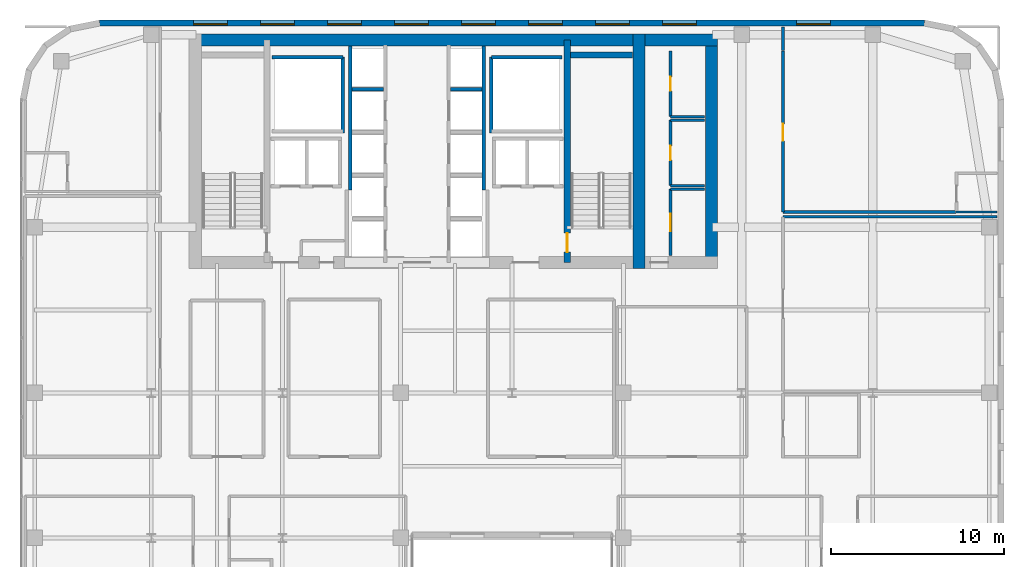
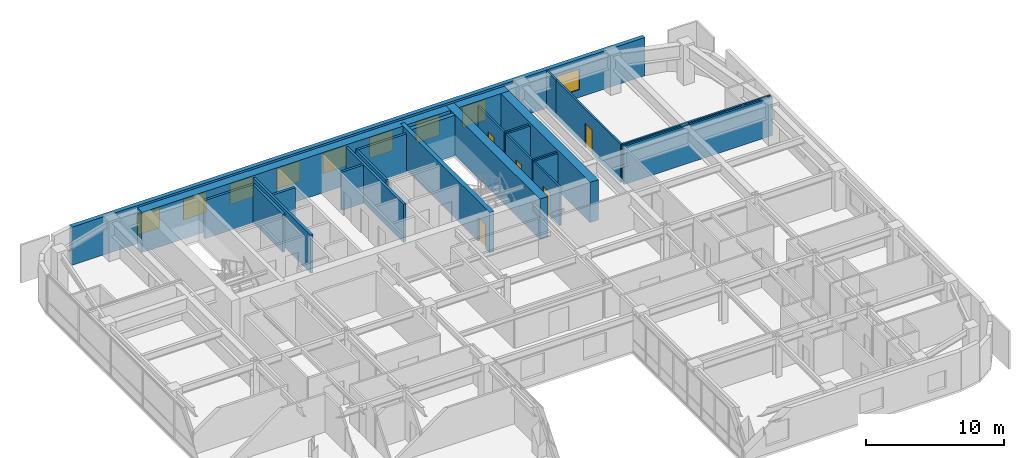
# One storey, part 28 of 30: 27 walls, 9 windows, 5 doors, 14 openings.
"""IFC4 building model written with IfcOpenShell, lengths in metres."""

from ifc_helpers import new_model, si_unit, direction, frame, frame_2d, origin, place, context, subcontext, project, spatial, rectangle, extrude, source, transform, mapped, material, layer, layer_set, type_object, type_shapes, element, fill, save


model = new_model("IFC4")

# Units and contexts
model_context = context("Model", 3, precision=1e-05, world=origin(), true_north=direction((0.0, 1.0)))
body_context = subcontext(model_context, "Body", "Model", "MODEL_VIEW")
ifc_project = project(units=[si_unit("LENGTHUNIT", "METRE"), si_unit("AREAUNIT", "SQUARE_METRE"), si_unit("VOLUMEUNIT", "CUBIC_METRE"), si_unit("PLANEANGLEUNIT", "RADIAN"), si_unit("MASSUNIT", "GRAM", prefix="KILO")], contexts=[model_context])

# Site, building, storey
site_placement = place(None, origin())
site = spatial("IfcSite", under=ifc_project, at=site_placement, CompositionType="ELEMENT")
building_placement = place(site_placement, origin())
building = spatial("IfcBuilding", under=site, at=building_placement, Name="Tolvann Quenvar Hotel", CompositionType="ELEMENT")
storey_placement = place(building_placement, frame((0.0, 0.0, 100.89990234375)))
storey = spatial("IfcBuildingStorey", under=building, at=storey_placement, Name="L25", CompositionType="ELEMENT", Elevation=100.89990234375)

# Walls
ifc_material_1 = material(Name="Concrete S65 (65 MPa)", Category="concrete")
ifc_layer_1 = layer(ifc_material_1, 0.699951171875)
ifc_layer_set_1 = layer_set([ifc_layer_1], Name="Concrete S65 (65 MPa)")
wall_type_1 = type_object("IfcWallType", Name="WALL_CORE_700", PredefinedType="SHEAR", material=ifc_layer_set_1)
wall_1_placement = place(storey_placement, frame((9.800048828125, 44.85009765625, 0.0), z_axis=(0.0, 0.0, 1.0), x_axis=(1.0, 0.0, 0.0)))
element("IfcWall", 1, at=wall_1_placement, inside=storey, type_object=wall_type_1, Name="Rear Core N Shear Wall (L25)", PredefinedType="SHEAR", context=body_context, shape_type="SweptSolid", body=[
    extrude(rectangle(XDim=26.39990234375, YDim=0.699951171875, at=frame_2d((13.199951171875, 0.0))), origin(), (0.0, 0.0, 1.0), 3.550048828125),
])
wall_2_placement = place(storey_placement, frame((35.85009765625, 31.60009765625, 0.0), z_axis=(0.0, 0.0, 1.0), x_axis=(0.0, 1.0, 0.0)))
element("IfcWall", 2, at=wall_2_placement, inside=storey, type_object=wall_type_1, Name="Rear Core E Shear Wall (L25)", PredefinedType="SHEAR", context=body_context, shape_type="SweptSolid", body=[
    extrude(rectangle(XDim=13.599853515625, YDim=0.699951171875, at=frame_2d((6.7998046875, 0.0))), origin(), (0.0, 0.0, 1.0), 3.550048828125),
])
wall_3_placement = place(storey_placement, frame((36.199951171875, 44.85009765625, 0.0), z_axis=(0.0, 0.0, 1.0), x_axis=(1.0, 0.0, 0.0)))
element("IfcWall", 3, at=wall_3_placement, inside=storey, type_object=wall_type_1, Name="Core East Annex Shear Wall ANN-N (L25)", PredefinedType="SHEAR", context=body_context, shape_type="SweptSolid", body=[
    extrude(rectangle(XDim=4.199951171875, YDim=0.699951171875, at=frame_2d((2.10009765625, 0.0))), origin(), (0.0, 0.0, 1.0), 3.550048828125),
])
wall_4_placement = place(storey_placement, frame((40.050048828125, 31.60009765625, 0.0), z_axis=(0.0, 0.0, 1.0), x_axis=(0.0, 1.0, 0.0)))
element("IfcWall", 4, at=wall_4_placement, inside=storey, type_object=wall_type_1, Name="Core East Annex Shear Wall ANN-E (L25)", PredefinedType="SHEAR", context=body_context, shape_type="SweptSolid", body=[
    extrude(rectangle(XDim=13.599853515625, YDim=0.699951171875, at=frame_2d((6.7998046875, 0.0))), origin(), (0.0, 0.0, 1.0), 3.550048828125),
])

# Wall, opening, door
ifc_layer_2 = layer(ifc_material_1, 0.35009765625)
ifc_layer_set_2 = layer_set([ifc_layer_2], Name="Concrete S65 (65 MPa)")
wall_type_2 = type_object("IfcWallType", Name="WALL_CORE_INT_350", PredefinedType="SHEAR", material=ifc_layer_set_2)
wall_5_placement = place(storey_placement, frame((31.699951171875, 31.949951171875, 0.0), z_axis=(0.0, 0.0, 1.0), x_axis=(0.0, 1.0, 0.0)))
wall_5 = element("IfcWall", 5, at=wall_5_placement, inside=storey, type_object=wall_type_2, Name="Core Internal Web Shear Wall WEB-E (L25)", PredefinedType="SHEAR", context=body_context, shape_type="SweptSolid", body=[
    extrude(rectangle(XDim=12.900146484375, YDim=0.35009765625, at=frame_2d((6.4501953125, 0.0))), origin(), (0.0, 0.0, 1.0), 3.550048828125),
])
opening_1_placement = place(wall_5_placement, frame((1.7001953125, 0.0, 0.0), z_axis=(0.0, 0.0, 1.0), x_axis=(-1.0, 0.0, 0.0)))
opening_1 = element("IfcOpeningElement", 6, at=opening_1_placement, cuts=wall_5, Name="Opening FD-120", PredefinedType="OPENING", context=body_context, shape_type="SweptSolid", body=[
    extrude(rectangle(XDim=1.10009765625, YDim=2.1201171875, at=frame_2d((0.550048828125, 1.06005859375))), frame((0.0, 0.18505859375, 0.0), z_axis=(0.0, -1.0, 0.0), x_axis=(1.0, 0.0, 0.0)), (0.0, 0.0, 1.0), 0.3701171875),
])
ifc_material_2 = material(Name="Pressed galvanised steel fire-rated door set", Category="steel")
door_type_1 = type_object("IfcDoorType", Name="DOOR_FIRE_STAIR_1100", OperationType="NOTDEFINED", PredefinedType="DOOR", material=ifc_material_2)
shared_shape_1 = source(origin(), body_context, "Body", "SweptSolid", [
    extrude(rectangle(XDim=1.10009765625, YDim=2.1201171875, at=frame_2d((0.550048828125, 1.06005859375))), frame((0.0, 0.02490234375, 0.0), z_axis=(0.0, -1.0, 0.0), x_axis=(1.0, 0.0, 0.0)), (0.0, 0.0, 1.0), 0.050048828125),
])
type_shapes(door_type_1, [shared_shape_1])
door_1_placement = place(opening_1_placement, origin())
door_1 = element("IfcDoor", 7, at=door_1_placement, inside=storey, type_object=door_type_1, Name="Exit Stair ST-C2 Fire Door (L25)", OperationType="SINGLE_SWING_RIGHT", OverallHeight=2.1201171875, OverallWidth=1.10009765625, PredefinedType="DOOR", context=body_context, shape_type="MappedRepresentation", body=[
    mapped(shared_shape_1, transform((0.0, 0.0, 0.0), x_axis=(1.0, 0.0, 0.0), y_axis=(0.0, 1.0, 0.0), z_axis=(0.0, 0.0, 1.0), scale=1.0)),
])
fill(opening_1, door_1)

# Wall
wall_6_placement = place(storey_placement, frame((31.8798828125, 43.97509765625, 0.0), z_axis=(0.0, 0.0, 1.0), x_axis=(1.0, 0.0, 0.0)))
element("IfcWall", 8, at=wall_6_placement, inside=storey, type_object=wall_type_2, Name="Core Stair North Closing Shear Wall STC2-N (L25)", PredefinedType="SHEAR", context=body_context, shape_type="SweptSolid", body=[
    extrude(rectangle(XDim=3.60009765625, YDim=0.35009765625, at=frame_2d((1.800048828125, 0.0))), origin(), (0.0, 0.0, 1.0), 3.550048828125),
])

# Wall, openings, windows
ifc_material_3 = material(Name="Kiln-fired red and buff architectural clay brickwork and terracotta masonry", Category="masonry")
ifc_layer_3 = layer(ifc_material_3, 0.35009765625)
ifc_layer_set_3 = layer_set([ifc_layer_3], Name="Kiln-fired red and buff architectural clay brickwork and terracotta masonry")
wall_type_3 = type_object("IfcWallType", Name="WALL_EXT_BRICK_350", PredefinedType="SOLIDWALL", material=ifc_layer_set_3)
wall_7_placement = place(storey_placement, frame((52.3828125, 45.824951171875, 0.0), z_axis=(0.0, 0.0, 1.0), x_axis=(-1.0, 0.0, 0.0)))
wall_7 = element("IfcWall", 9, at=wall_7_placement, inside=storey, type_object=wall_type_3, Name="Exterior Chicago Brick Wall L25-E18", PredefinedType="SOLIDWALL", context=body_context, shape_type="SweptSolid", body=[
    extrude(rectangle(XDim=47.765625, YDim=0.35009765625, at=frame_2d((23.8828125, 0.0))), origin(), (0.0, 0.0, 1.0), 3.3701171875),
])
opening_2_placement = place(wall_7_placement, frame((5.446044921875, 0.0, 0.679931640625)))
opening_2 = element("IfcOpeningElement", 10, at=opening_2_placement, cuts=wall_7, Name="Opening W-10", PredefinedType="OPENING", context=body_context, shape_type="SweptSolid", body=[
    extrude(rectangle(XDim=1.949951171875, YDim=1.820068359375, at=frame_2d((0.97509765625, 0.91015625))), frame((0.0, 0.18505859375, 0.0), z_axis=(0.0, -1.0, 0.0), x_axis=(1.0, 0.0, 0.0)), (0.0, 0.0, 1.0), 0.3701171875),
])
opening_3_placement = place(wall_7_placement, frame((13.20703125, 0.0, 0.679931640625)))
opening_3 = element("IfcOpeningElement", 11, at=opening_3_placement, cuts=wall_7, Name="Opening W-10", PredefinedType="OPENING", context=body_context, shape_type="SweptSolid", body=[
    extrude(rectangle(XDim=1.949951171875, YDim=1.820068359375, at=frame_2d((0.97509765625, 0.91015625))), frame((0.0, 0.18505859375, 0.0), z_axis=(0.0, -1.0, 0.0), x_axis=(1.0, 0.0, 0.0)), (0.0, 0.0, 1.0), 0.3701171875),
])
opening_4_placement = place(wall_7_placement, frame((17.0869140625, 0.0, 0.679931640625)))
opening_4 = element("IfcOpeningElement", 12, at=opening_4_placement, cuts=wall_7, Name="Opening W-10", PredefinedType="OPENING", context=body_context, shape_type="SweptSolid", body=[
    extrude(rectangle(XDim=1.949951171875, YDim=1.820068359375, at=frame_2d((0.97509765625, 0.91015625))), frame((0.0, 0.18505859375, 0.0), z_axis=(0.0, -1.0, 0.0), x_axis=(1.0, 0.0, 0.0)), (0.0, 0.0, 1.0), 0.3701171875),
])
opening_5_placement = place(wall_7_placement, frame((20.968017578125, 0.0, 0.679931640625)))
opening_5 = element("IfcOpeningElement", 13, at=opening_5_placement, cuts=wall_7, Name="Opening W-10", PredefinedType="OPENING", context=body_context, shape_type="SweptSolid", body=[
    extrude(rectangle(XDim=1.949951171875, YDim=1.820068359375, at=frame_2d((0.97509765625, 0.91015625))), frame((0.0, 0.18505859375, 0.0), z_axis=(0.0, -1.0, 0.0), x_axis=(1.0, 0.0, 0.0)), (0.0, 0.0, 1.0), 0.3701171875),
])
opening_6_placement = place(wall_7_placement, frame((24.847900390625, 0.0, 0.679931640625)))
opening_6 = element("IfcOpeningElement", 14, at=opening_6_placement, cuts=wall_7, Name="Opening W-10", PredefinedType="OPENING", context=body_context, shape_type="SweptSolid", body=[
    extrude(rectangle(XDim=1.949951171875, YDim=1.820068359375, at=frame_2d((0.97509765625, 0.91015625))), frame((0.0, 0.18505859375, 0.0), z_axis=(0.0, -1.0, 0.0), x_axis=(1.0, 0.0, 0.0)), (0.0, 0.0, 1.0), 0.3701171875),
])
opening_7_placement = place(wall_7_placement, frame((28.72900390625, 0.0, 0.679931640625)))
opening_7 = element("IfcOpeningElement", 15, at=opening_7_placement, cuts=wall_7, Name="Opening W-10", PredefinedType="OPENING", context=body_context, shape_type="SweptSolid", body=[
    extrude(rectangle(XDim=1.949951171875, YDim=1.820068359375, at=frame_2d((0.97509765625, 0.91015625))), frame((0.0, 0.18505859375, 0.0), z_axis=(0.0, -1.0, 0.0), x_axis=(1.0, 0.0, 0.0)), (0.0, 0.0, 1.0), 0.3701171875),
])
opening_8_placement = place(wall_7_placement, frame((32.60888671875, 0.0, 0.679931640625)))
opening_8 = element("IfcOpeningElement", 16, at=opening_8_placement, cuts=wall_7, Name="Opening W-10", PredefinedType="OPENING", context=body_context, shape_type="SweptSolid", body=[
    extrude(rectangle(XDim=1.949951171875, YDim=1.820068359375, at=frame_2d((0.97509765625, 0.91015625))), frame((0.0, 0.18505859375, 0.0), z_axis=(0.0, -1.0, 0.0), x_axis=(1.0, 0.0, 0.0)), (0.0, 0.0, 1.0), 0.3701171875),
])
opening_9_placement = place(wall_7_placement, frame((36.489013671875, 0.0, 0.679931640625)))
opening_9 = element("IfcOpeningElement", 17, at=opening_9_placement, cuts=wall_7, Name="Opening W-10", PredefinedType="OPENING", context=body_context, shape_type="SweptSolid", body=[
    extrude(rectangle(XDim=1.949951171875, YDim=1.820068359375, at=frame_2d((0.97509765625, 0.91015625))), frame((0.0, 0.18505859375, 0.0), z_axis=(0.0, -1.0, 0.0), x_axis=(1.0, 0.0, 0.0)), (0.0, 0.0, 1.0), 0.3701171875),
])
opening_10_placement = place(wall_7_placement, frame((40.3701171875, 0.0, 0.679931640625)))
opening_10 = element("IfcOpeningElement", 18, at=opening_10_placement, cuts=wall_7, Name="Opening W-10", PredefinedType="OPENING", context=body_context, shape_type="SweptSolid", body=[
    extrude(rectangle(XDim=1.949951171875, YDim=1.820068359375, at=frame_2d((0.97509765625, 0.91015625))), frame((0.0, 0.18505859375, 0.0), z_axis=(0.0, -1.0, 0.0), x_axis=(1.0, 0.0, 0.0)), (0.0, 0.0, 1.0), 0.3701171875),
])
ifc_material_4 = material(Name="Thermally broken bronze-anodised aluminium frame with double low-E glazing", Category="aluminium")
window_type = type_object("IfcWindowType", Name="WIN_CLB_1950x1850", PartitioningType="DOUBLE_PANEL_VERTICAL", PredefinedType="WINDOW", material=ifc_material_4)
shared_shape_2 = source(origin(), body_context, "Body", "SweptSolid", [
    extrude(rectangle(XDim=1.949951171875, YDim=1.820068359375, at=frame_2d((0.97509765625, 0.91015625))), frame((0.0, 0.090087890625, 0.0), z_axis=(0.0, -1.0, 0.0), x_axis=(1.0, 0.0, 0.0)), (0.0, 0.0, 1.0), 0.06005859375),
])
type_shapes(window_type, [shared_shape_2])
window_1_placement = place(opening_2_placement, origin())
window_1 = element("IfcWindow", 19, at=window_1_placement, inside=storey, type_object=window_type, Name="Chicago Window W-10 (EW-L25-E18-W01)", OverallHeight=1.820068359375, OverallWidth=1.949951171875, PartitioningType="DOUBLE_PANEL_VERTICAL", PredefinedType="WINDOW", context=body_context, shape_type="MappedRepresentation", body=[
    mapped(shared_shape_2, transform((0.0, 0.0, 0.0), x_axis=(1.0, 0.0, 0.0), y_axis=(0.0, 1.0, 0.0), z_axis=(0.0, 0.0, 1.0), scale=1.0)),
])
fill(opening_2, window_1)
window_2_placement = place(opening_3_placement, origin())
window_2 = element("IfcWindow", 20, at=window_2_placement, inside=storey, type_object=window_type, Name="Chicago Window W-10 (EW-L25-E18-W02)", OverallHeight=1.820068359375, OverallWidth=1.949951171875, PartitioningType="DOUBLE_PANEL_VERTICAL", PredefinedType="WINDOW", context=body_context, shape_type="MappedRepresentation", body=[
    mapped(shared_shape_2, transform((0.0, 0.0, 0.0), x_axis=(1.0, 0.0, 0.0), y_axis=(0.0, 1.0, 0.0), z_axis=(0.0, 0.0, 1.0), scale=1.0)),
])
fill(opening_3, window_2)
window_3_placement = place(opening_4_placement, origin())
window_3 = element("IfcWindow", 21, at=window_3_placement, inside=storey, type_object=window_type, Name="Chicago Window W-10 (EW-L25-E18-W03)", OverallHeight=1.820068359375, OverallWidth=1.949951171875, PartitioningType="DOUBLE_PANEL_VERTICAL", PredefinedType="WINDOW", context=body_context, shape_type="MappedRepresentation", body=[
    mapped(shared_shape_2, transform((0.0, 0.0, 0.0), x_axis=(1.0, 0.0, 0.0), y_axis=(0.0, 1.0, 0.0), z_axis=(0.0, 0.0, 1.0), scale=1.0)),
])
fill(opening_4, window_3)
window_4_placement = place(opening_5_placement, origin())
window_4 = element("IfcWindow", 22, at=window_4_placement, inside=storey, type_object=window_type, Name="Chicago Window W-10 (EW-L25-E18-W04)", OverallHeight=1.820068359375, OverallWidth=1.949951171875, PartitioningType="DOUBLE_PANEL_VERTICAL", PredefinedType="WINDOW", context=body_context, shape_type="MappedRepresentation", body=[
    mapped(shared_shape_2, transform((0.0, 0.0, 0.0), x_axis=(1.0, 0.0, 0.0), y_axis=(0.0, 1.0, 0.0), z_axis=(0.0, 0.0, 1.0), scale=1.0)),
])
fill(opening_5, window_4)
window_5_placement = place(opening_6_placement, origin())
window_5 = element("IfcWindow", 23, at=window_5_placement, inside=storey, type_object=window_type, Name="Chicago Window W-10 (EW-L25-E18-W05)", OverallHeight=1.820068359375, OverallWidth=1.949951171875, PartitioningType="DOUBLE_PANEL_VERTICAL", PredefinedType="WINDOW", context=body_context, shape_type="MappedRepresentation", body=[
    mapped(shared_shape_2, transform((0.0, 0.0, 0.0), x_axis=(1.0, 0.0, 0.0), y_axis=(0.0, 1.0, 0.0), z_axis=(0.0, 0.0, 1.0), scale=1.0)),
])
fill(opening_6, window_5)
window_6_placement = place(opening_7_placement, origin())
window_6 = element("IfcWindow", 24, at=window_6_placement, inside=storey, type_object=window_type, Name="Chicago Window W-10 (EW-L25-E18-W06)", OverallHeight=1.820068359375, OverallWidth=1.949951171875, PartitioningType="DOUBLE_PANEL_VERTICAL", PredefinedType="WINDOW", context=body_context, shape_type="MappedRepresentation", body=[
    mapped(shared_shape_2, transform((0.0, 0.0, 0.0), x_axis=(1.0, 0.0, 0.0), y_axis=(0.0, 1.0, 0.0), z_axis=(0.0, 0.0, 1.0), scale=1.0)),
])
fill(opening_7, window_6)
window_7_placement = place(opening_8_placement, origin())
window_7 = element("IfcWindow", 25, at=window_7_placement, inside=storey, type_object=window_type, Name="Chicago Window W-10 (EW-L25-E18-W07)", OverallHeight=1.820068359375, OverallWidth=1.949951171875, PartitioningType="DOUBLE_PANEL_VERTICAL", PredefinedType="WINDOW", context=body_context, shape_type="MappedRepresentation", body=[
    mapped(shared_shape_2, transform((0.0, 0.0, 0.0), x_axis=(1.0, 0.0, 0.0), y_axis=(0.0, 1.0, 0.0), z_axis=(0.0, 0.0, 1.0), scale=1.0)),
])
fill(opening_8, window_7)
window_8_placement = place(opening_9_placement, origin())
window_8 = element("IfcWindow", 26, at=window_8_placement, inside=storey, type_object=window_type, Name="Chicago Window W-10 (EW-L25-E18-W08)", OverallHeight=1.820068359375, OverallWidth=1.949951171875, PartitioningType="DOUBLE_PANEL_VERTICAL", PredefinedType="WINDOW", context=body_context, shape_type="MappedRepresentation", body=[
    mapped(shared_shape_2, transform((0.0, 0.0, 0.0), x_axis=(1.0, 0.0, 0.0), y_axis=(0.0, 1.0, 0.0), z_axis=(0.0, 0.0, 1.0), scale=1.0)),
])
fill(opening_9, window_8)
window_9_placement = place(opening_10_placement, origin())
window_9 = element("IfcWindow", 27, at=window_9_placement, inside=storey, type_object=window_type, Name="Chicago Window W-10 (EW-L25-E18-W09)", OverallHeight=1.820068359375, OverallWidth=1.949951171875, PartitioningType="DOUBLE_PANEL_VERTICAL", PredefinedType="WINDOW", context=body_context, shape_type="MappedRepresentation", body=[
    mapped(shared_shape_2, transform((0.0, 0.0, 0.0), x_axis=(1.0, 0.0, 0.0), y_axis=(0.0, 1.0, 0.0), z_axis=(0.0, 0.0, 1.0), scale=1.0)),
])
fill(opening_10, window_9)

# Walls
ifc_material_5 = material(Name="Moisture-resistant acoustic plumbing wall assembly")
ifc_layer_4 = layer(ifc_material_5, 0.1201171875)
ifc_layer_set_4 = layer_set([ifc_layer_4], Name="Moisture-resistant acoustic plumbing wall assembly")
wall_type_4 = type_object("IfcWallType", Name="WALL_PART_BATH_120", PredefinedType="PLUMBINGWALL", material=ifc_layer_set_4)
wall_8_placement = place(storey_placement, frame((54.179931640625, 34.8798828125, 0.0), z_axis=(0.0, 0.0, 1.0), x_axis=(1.0, 0.0, 0.0)))
element("IfcWall", 28, at=wall_8_placement, inside=storey, type_object=wall_type_4, Name="Non-Rated Plumbing Partition PT-SPC-L25-ENS-NE01-S", PredefinedType="PLUMBINGWALL", context=body_context, shape_type="SweptSolid", body=[
    extrude(rectangle(XDim=2.4150390625, YDim=0.1201171875, at=frame_2d((1.20751953125, 0.0))), origin(), (0.0, 0.0, 1.0), 3.3701171875),
])
ifc_material_6 = material(Name="Acoustic twin-stud fire-rated gypsum plasterboard partition")
ifc_layer_5 = layer(ifc_material_6, 0.14990234375)
ifc_layer_set_5 = layer_set([ifc_layer_5], Name="Acoustic twin-stud fire-rated gypsum plasterboard partition")
wall_type_5 = type_object("IfcWallType", Name="WALL_PART_SUITE_150", PredefinedType="PARTITIONING", material=ifc_layer_set_5)
wall_9_placement = place(storey_placement, frame((37.679931640625, 36.199951171875, 0.0), z_axis=(0.0, 0.0, 1.0), x_axis=(1.0, 0.0, 0.0)))
element("IfcWall", 29, at=wall_9_placement, inside=storey, type_object=wall_type_5, Name="Interior Partition PT-SPC-L25-RECPL-1-N", PredefinedType="PARTITIONING", context=body_context, shape_type="SweptSolid", body=[
    extrude(rectangle(XDim=1.965087890625, YDim=0.14990234375, at=frame_2d((0.982421875, 0.0))), origin(), (0.0, 0.0, 1.0), 3.3701171875),
])

# Wall, opening, door
wall_10_placement = place(storey_placement, frame((37.679931640625, 32.35498046875, 0.0), z_axis=(0.0, 0.0, 1.0), x_axis=(0.0, 1.0, 0.0)))
wall_10 = element("IfcWall", 30, at=wall_10_placement, inside=storey, type_object=wall_type_5, Name="Interior Partition PT-SPC-L25-RECPL-1-W", PredefinedType="PARTITIONING", context=body_context, shape_type="SweptSolid", body=[
    extrude(rectangle(XDim=3.844970703125, YDim=0.14990234375, at=frame_2d((1.92236328125, 0.0))), origin(), (0.0, 0.0, 1.0), 3.3701171875),
])
opening_11_placement = place(wall_10_placement, frame((1.41259765625, 0.0, 0.0)))
opening_11 = element("IfcOpeningElement", 31, at=opening_11_placement, cuts=wall_10, Name="Opening HD-01", PredefinedType="OPENING", context=body_context, shape_type="SweptSolid", body=[
    extrude(rectangle(XDim=1.02001953125, YDim=2.030029296875, at=frame_2d((0.510009765625, 1.01513671875))), frame((0.0, 0.0849609375, 0.0), z_axis=(0.0, -1.0, 0.0), x_axis=(1.0, 0.0, 0.0)), (0.0, 0.0, 1.0), 0.169921875),
])
door_type_2 = type_object("IfcDoorType", Name="DOOR_BOH_1020", OperationType="NOTDEFINED", PredefinedType="DOOR", material=ifc_material_2)
shared_shape_3 = source(origin(), body_context, "Body", "SweptSolid", [
    extrude(rectangle(XDim=1.02001953125, YDim=2.030029296875, at=frame_2d((0.510009765625, 1.01513671875))), frame((0.0, 0.02490234375, 0.0), z_axis=(0.0, -1.0, 0.0), x_axis=(1.0, 0.0, 0.0)), (0.0, 0.0, 1.0), 0.050048828125),
])
type_shapes(door_type_2, [shared_shape_3])
door_2_placement = place(opening_11_placement, origin())
door_2 = element("IfcDoor", 32, at=door_2_placement, inside=storey, type_object=door_type_2, Name="Interior Door DOOR-SPC-L25-RECPL-1", OperationType="SINGLE_SWING_LEFT", OverallHeight=2.030029296875, OverallWidth=1.02001953125, PredefinedType="DOOR", context=body_context, shape_type="MappedRepresentation", body=[
    mapped(shared_shape_3, transform((0.0, 0.0, 0.0), x_axis=(1.0, 0.0, 0.0), y_axis=(0.0, 1.0, 0.0), z_axis=(0.0, 0.0, 1.0), scale=1.0)),
])
fill(opening_11, door_2)

# Walls
for number, where, z_axis, x_axis, name in (
    (33, (37.679931640625, 36.39990234375, 0.0), (0.0, 0.0, 1.0), (1.0, 0.0, 0.0), "Interior Partition PT-SPC-L25-CSE-1-S"),
    (34, (37.679931640625, 40.199951171875, 0.0), (0.0, 0.0, 1.0), (1.0, 0.0, 0.0), "Interior Partition PT-SPC-L25-CSE-1-N"),
):
    element("IfcWall", number, at=place(storey_placement, frame(where, z_axis=z_axis, x_axis=x_axis)), inside=storey, type_object=wall_type_5, Name=name, PredefinedType="PARTITIONING", context=body_context, shape_type="SweptSolid", body=[
        extrude(rectangle(XDim=1.965087890625, YDim=0.14990234375, at=frame_2d((0.982421875, 0.0))), origin(), (0.0, 0.0, 1.0), 3.3701171875),
    ])

# Wall, opening, door
wall_11_placement = place(storey_placement, frame((37.679931640625, 36.39990234375, 0.0), z_axis=(0.0, 0.0, 1.0), x_axis=(0.0, 1.0, 0.0)))
wall_11 = element("IfcWall", 35, at=wall_11_placement, inside=storey, type_object=wall_type_5, Name="Interior Partition PT-SPC-L25-CSE-1-W", PredefinedType="PARTITIONING", context=body_context, shape_type="SweptSolid", body=[
    extrude(rectangle(XDim=3.800048828125, YDim=0.14990234375, at=frame_2d((1.89990234375, 0.0))), origin(), (0.0, 0.0, 1.0), 3.3701171875),
])
opening_12_placement = place(wall_11_placement, frame((1.489990234375, 0.0, 0.0)))
opening_12 = element("IfcOpeningElement", 36, at=opening_12_placement, cuts=wall_11, Name="Opening HD-02", PredefinedType="OPENING", context=body_context, shape_type="SweptSolid", body=[
    extrude(rectangle(XDim=0.820068359375, YDim=2.010009765625, at=frame_2d((0.41015625, 1.0048828125))), frame((0.0, 0.0849609375, 0.0), z_axis=(0.0, -1.0, 0.0), x_axis=(1.0, 0.0, 0.0)), (0.0, 0.0, 1.0), 0.169921875),
])
door_type_3 = type_object("IfcDoorType", Name="DOOR_STORE_820", OperationType="NOTDEFINED", PredefinedType="DOOR", material=ifc_material_2)
shared_shape_4 = source(origin(), body_context, "Body", "SweptSolid", [
    extrude(rectangle(XDim=0.820068359375, YDim=2.010009765625, at=frame_2d((0.41015625, 1.0048828125))), frame((0.0, 0.02490234375, 0.0), z_axis=(0.0, -1.0, 0.0), x_axis=(1.0, 0.0, 0.0)), (0.0, 0.0, 1.0), 0.050048828125),
])
type_shapes(door_type_3, [shared_shape_4])
door_3_placement = place(opening_12_placement, origin())
door_3 = element("IfcDoor", 37, at=door_3_placement, inside=storey, type_object=door_type_3, Name="Interior Door DOOR-SPC-L25-CSE-1", OperationType="SINGLE_SWING_RIGHT", OverallHeight=2.010009765625, OverallWidth=0.820068359375, PredefinedType="DOOR", context=body_context, shape_type="MappedRepresentation", body=[
    mapped(shared_shape_4, transform((0.0, 0.0, 0.0), x_axis=(1.0, 0.0, 0.0), y_axis=(0.0, 1.0, 0.0), z_axis=(0.0, 0.0, 1.0), scale=1.0)),
])
fill(opening_12, door_3)

# Wall
wall_12_placement = place(storey_placement, frame((37.679931640625, 40.39990234375, 0.0), z_axis=(0.0, 0.0, 1.0), x_axis=(1.0, 0.0, 0.0)))
element("IfcWall", 38, at=wall_12_placement, inside=storey, type_object=wall_type_5, Name="Interior Partition PT-SPC-L25-CSE-2-S", PredefinedType="PARTITIONING", context=body_context, shape_type="SweptSolid", body=[
    extrude(rectangle(XDim=1.965087890625, YDim=0.14990234375, at=frame_2d((0.982421875, 0.0))), origin(), (0.0, 0.0, 1.0), 3.3701171875),
])

# Wall, opening, door
wall_13_placement = place(storey_placement, frame((37.679931640625, 40.39990234375, 0.0), z_axis=(0.0, 0.0, 1.0), x_axis=(0.0, 1.0, 0.0)))
wall_13 = element("IfcWall", 39, at=wall_13_placement, inside=storey, type_object=wall_type_5, Name="Interior Partition PT-SPC-L25-CSE-2-W", PredefinedType="PARTITIONING", context=body_context, shape_type="SweptSolid", body=[
    extrude(rectangle(XDim=3.800048828125, YDim=0.14990234375, at=frame_2d((1.89990234375, 0.0))), origin(), (0.0, 0.0, 1.0), 3.3701171875),
])
opening_13_placement = place(wall_13_placement, frame((1.489990234375, 0.0, 0.0)))
opening_13 = element("IfcOpeningElement", 40, at=opening_13_placement, cuts=wall_13, Name="Opening HD-02", PredefinedType="OPENING", context=body_context, shape_type="SweptSolid", body=[
    extrude(rectangle(XDim=0.820068359375, YDim=2.010009765625, at=frame_2d((0.41015625, 1.0048828125))), frame((0.0, 0.0849609375, 0.0), z_axis=(0.0, -1.0, 0.0), x_axis=(1.0, 0.0, 0.0)), (0.0, 0.0, 1.0), 0.169921875),
])
door_4_placement = place(opening_13_placement, origin())
door_4 = element("IfcDoor", 41, at=door_4_placement, inside=storey, type_object=door_type_3, Name="Interior Door DOOR-SPC-L25-CSE-2", OperationType="SINGLE_SWING_LEFT", OverallHeight=2.010009765625, OverallWidth=0.820068359375, PredefinedType="DOOR", context=body_context, shape_type="MappedRepresentation", body=[
    mapped(shared_shape_4, transform((0.0, 0.0, 0.0), x_axis=(1.0, 0.0, 0.0), y_axis=(0.0, 1.0, 0.0), z_axis=(0.0, 0.0, 1.0), scale=1.0)),
])
fill(opening_13, door_4)

# Wall
wall_14_placement = place(storey_placement, frame((44.199951171875, 34.60009765625, 0.0), z_axis=(0.0, 0.0, 1.0), x_axis=(1.0, 0.0, 0.0)))
element("IfcWall", 42, at=wall_14_placement, inside=storey, type_object=wall_type_5, Name="Interior Partition PT-SPC-L25-SPA-N", PredefinedType="PARTITIONING", context=body_context, shape_type="SweptSolid", body=[
    extrude(rectangle(XDim=12.39501953125, YDim=0.14990234375, at=frame_2d((6.197509765625, 0.0))), origin(), (0.0, 0.0, 1.0), 3.3701171875),
])

# Wall, opening, door
wall_15_placement = place(storey_placement, frame((44.199951171875, 34.8798828125, 0.0), z_axis=(0.0, 0.0, 1.0), x_axis=(0.0, 1.0, 0.0)))
wall_15 = element("IfcWall", 43, at=wall_15_placement, inside=storey, type_object=wall_type_5, Name="Interior Partition PT-SPC-L25-RM-NE01-ENT", PredefinedType="PARTITIONING", context=body_context, shape_type="SweptSolid", body=[
    extrude(rectangle(XDim=9.330078125, YDim=0.14990234375, at=frame_2d((4.6650390625, 0.0))), origin(), (0.0, 0.0, 1.0), 3.3701171875),
])
opening_14_placement = place(wall_15_placement, frame((4.1201171875, 0.0, 0.0)))
opening_14 = element("IfcOpeningElement", 44, at=opening_14_placement, cuts=wall_15, Name="Opening SD-01", PredefinedType="OPENING", context=body_context, shape_type="SweptSolid", body=[
    extrude(rectangle(XDim=0.97998046875, YDim=2.1201171875, at=frame_2d((0.489990234375, 1.06005859375))), frame((0.0, 0.0849609375, 0.0), z_axis=(0.0, -1.0, 0.0), x_axis=(1.0, 0.0, 0.0)), (0.0, 0.0, 1.0), 0.169921875),
])
ifc_material_7 = material(Name="Solid-core American oak acoustic fire door leaf in steel frame", Category="steel")
door_type_4 = type_object("IfcDoorType", Name="DOOR_SUITE_980", OperationType="NOTDEFINED", PredefinedType="DOOR", material=ifc_material_7)
shared_shape_5 = source(origin(), body_context, "Body", "SweptSolid", [
    extrude(rectangle(XDim=0.97998046875, YDim=2.1201171875, at=frame_2d((0.489990234375, 1.06005859375))), frame((0.0, 0.02490234375, 0.0), z_axis=(0.0, -1.0, 0.0), x_axis=(1.0, 0.0, 0.0)), (0.0, 0.0, 1.0), 0.050048828125),
])
type_shapes(door_type_4, [shared_shape_5])
door_5_placement = place(opening_14_placement, origin())
door_5 = element("IfcDoor", 45, at=door_5_placement, inside=storey, type_object=door_type_4, Name="Interior Door DOOR-SPC-L25-RM-NE01", OperationType="SINGLE_SWING_RIGHT", OverallHeight=2.1201171875, OverallWidth=0.97998046875, PredefinedType="DOOR", context=body_context, shape_type="MappedRepresentation", body=[
    mapped(shared_shape_5, transform((0.0, 0.0, 0.0), x_axis=(1.0, 0.0, 0.0), y_axis=(0.0, 1.0, 0.0), z_axis=(0.0, 0.0, 1.0), scale=1.0)),
])
fill(opening_14, door_5)

# Walls
wall_16_placement = place(storey_placement, frame((44.199951171875, 34.8798828125, 0.0), z_axis=(0.0, 0.0, 1.0), x_axis=(1.0, 0.0, 0.0)))
element("IfcWall", 46, at=wall_16_placement, inside=storey, type_object=wall_type_5, Name="Interior Partition PT-SPC-L25-RM-NE01-E1", PredefinedType="PARTITIONING", context=body_context, shape_type="SweptSolid", body=[
    extrude(rectangle(XDim=10.030029296875, YDim=0.14990234375, at=frame_2d((5.01513671875, 0.0))), origin(), (0.0, 0.0, 1.0), 3.3701171875),
])
wall_17_placement = place(storey_placement, frame((44.199951171875, 44.219970703125, 0.0), z_axis=(0.0, 0.0, 1.0), x_axis=(0.0, 1.0, 0.0)))
element("IfcWall", 47, at=wall_17_placement, inside=storey, type_object=wall_type_5, Name="Interior Partition PT-SPC-L25-RM-NE01-E6", PredefinedType="PARTITIONING", context=body_context, shape_type="SweptSolid", body=[
    extrude(rectangle(XDim=1.375, YDim=0.14990234375, at=frame_2d((0.6875, 0.0))), origin(), (0.0, 0.0, 1.0), 3.3701171875),
])
ifc_material_8 = material(Name="Concrete N40 (40 MPa)", Category="concrete")
ifc_layer_6 = layer(ifc_material_8, 0.199951171875)
ifc_layer_set_6 = layer_set([ifc_layer_6], Name="Concrete N40 (40 MPa)")
wall_type_6 = type_object("IfcWallType", Name="WALL_SHAFT_200", PredefinedType="SOLIDWALL", material=ifc_layer_set_6)
wall_18_placement = place(storey_placement, frame((18.699951171875, 39.449951171875, 0.0), z_axis=(0.0, 0.0, 1.0), x_axis=(0.0, 1.0, 0.0)))
element("IfcWall", 48, at=wall_18_placement, inside=storey, type_object=wall_type_6, Name="Service Riser W Shaft Wall IN (L25)", PredefinedType="SOLIDWALL", context=body_context, shape_type="SweptSolid", body=[
    extrude(rectangle(XDim=4.400146484375, YDim=0.199951171875, at=frame_2d((2.2001953125, 0.0))), origin(), (0.0, 0.0, 1.0), 3.3701171875),
])
wall_19_placement = place(storey_placement, frame((14.60009765625, 43.85009765625, 0.0), z_axis=(0.0, 0.0, 1.0), x_axis=(1.0, 0.0, 0.0)))
element("IfcWall", 49, at=wall_19_placement, inside=storey, type_object=wall_type_6, Name="Service Riser W Shaft Wall N (L25)", PredefinedType="SOLIDWALL", context=body_context, shape_type="SweptSolid", body=[
    extrude(rectangle(XDim=4.099853515625, YDim=0.199951171875, at=frame_2d((2.0498046875, 0.0))), origin(), (0.0, 0.0, 1.0), 3.3701171875),
])
wall_20_placement = place(storey_placement, frame((27.300048828125, 39.449951171875, 0.0), z_axis=(0.0, 0.0, 1.0), x_axis=(0.0, 1.0, 0.0)))
element("IfcWall", 50, at=wall_20_placement, inside=storey, type_object=wall_type_6, Name="Service Riser E Shaft Wall IN (L25)", PredefinedType="SOLIDWALL", context=body_context, shape_type="SweptSolid", body=[
    extrude(rectangle(XDim=4.400146484375, YDim=0.199951171875, at=frame_2d((2.2001953125, 0.0))), origin(), (0.0, 0.0, 1.0), 3.3701171875),
])
wall_21_placement = place(storey_placement, frame((27.300048828125, 43.85009765625, 0.0), z_axis=(0.0, 0.0, 1.0), x_axis=(1.0, 0.0, 0.0)))
element("IfcWall", 51, at=wall_21_placement, inside=storey, type_object=wall_type_6, Name="Service Riser E Shaft Wall N (L25)", PredefinedType="SOLIDWALL", context=body_context, shape_type="SweptSolid", body=[
    extrude(rectangle(XDim=4.099853515625, YDim=0.199951171875, at=frame_2d((2.0498046875, 0.0))), origin(), (0.0, 0.0, 1.0), 3.3701171875),
])
wall_22_placement = place(storey_placement, frame((19.1298828125, 36.159912109375, 0.0), z_axis=(0.0, 0.0, 1.0), x_axis=(0.0, 1.0, 0.0)))
element("IfcWall", 52, at=wall_22_placement, inside=storey, type_object=wall_type_6, Name="Lift Bank E21.1C1 Hoistway Rear Wall (L25)", PredefinedType="SOLIDWALL", context=body_context, shape_type="SweptSolid", body=[
    extrude(rectangle(XDim=8.336181640625, YDim=0.199951171875, at=frame_2d((4.16796875, 0.0))), origin(), (0.0, 0.0, 1.0), 3.3701171875),
])
wall_23_placement = place(storey_placement, frame((19.22998046875, 42.0, 0.0), z_axis=(0.0, 0.0, 1.0), x_axis=(1.0, 0.0, 0.0)))
element("IfcWall", 53, at=wall_23_placement, inside=storey, type_object=wall_type_6, Name="Lift Bank E21.1C1 Divider Wall 4 (L25)", PredefinedType="SOLIDWALL", context=body_context, shape_type="SweptSolid", body=[
    extrude(rectangle(XDim=1.840087890625, YDim=0.199951171875, at=frame_2d((0.919921875, 0.0))), origin(), (0.0, 0.0, 1.0), 3.3701171875),
])
wall_24_placement = place(storey_placement, frame((26.8701171875, 36.159912109375, 0.0), z_axis=(0.0, 0.0, 1.0), x_axis=(0.0, 1.0, 0.0)))
element("IfcWall", 54, at=wall_24_placement, inside=storey, type_object=wall_type_6, Name="Lift Bank W24.9C1 Hoistway Rear Wall (L25)", PredefinedType="SOLIDWALL", context=body_context, shape_type="SweptSolid", body=[
    extrude(rectangle(XDim=8.336181640625, YDim=0.199951171875, at=frame_2d((4.16796875, 0.0))), origin(), (0.0, 0.0, 1.0), 3.3701171875),
])
wall_25_placement = place(storey_placement, frame((24.929931640625, 42.0, 0.0), z_axis=(0.0, 0.0, 1.0), x_axis=(1.0, 0.0, 0.0)))
element("IfcWall", 55, at=wall_25_placement, inside=storey, type_object=wall_type_6, Name="Lift Bank W24.9C1 Divider Wall 4 (L25)", PredefinedType="SOLIDWALL", context=body_context, shape_type="SweptSolid", body=[
    extrude(rectangle(XDim=1.840087890625, YDim=0.199951171875, at=frame_2d((0.919921875, 0.0))), origin(), (0.0, 0.0, 1.0), 3.3701171875),
])

save(model, "model.ifc")
